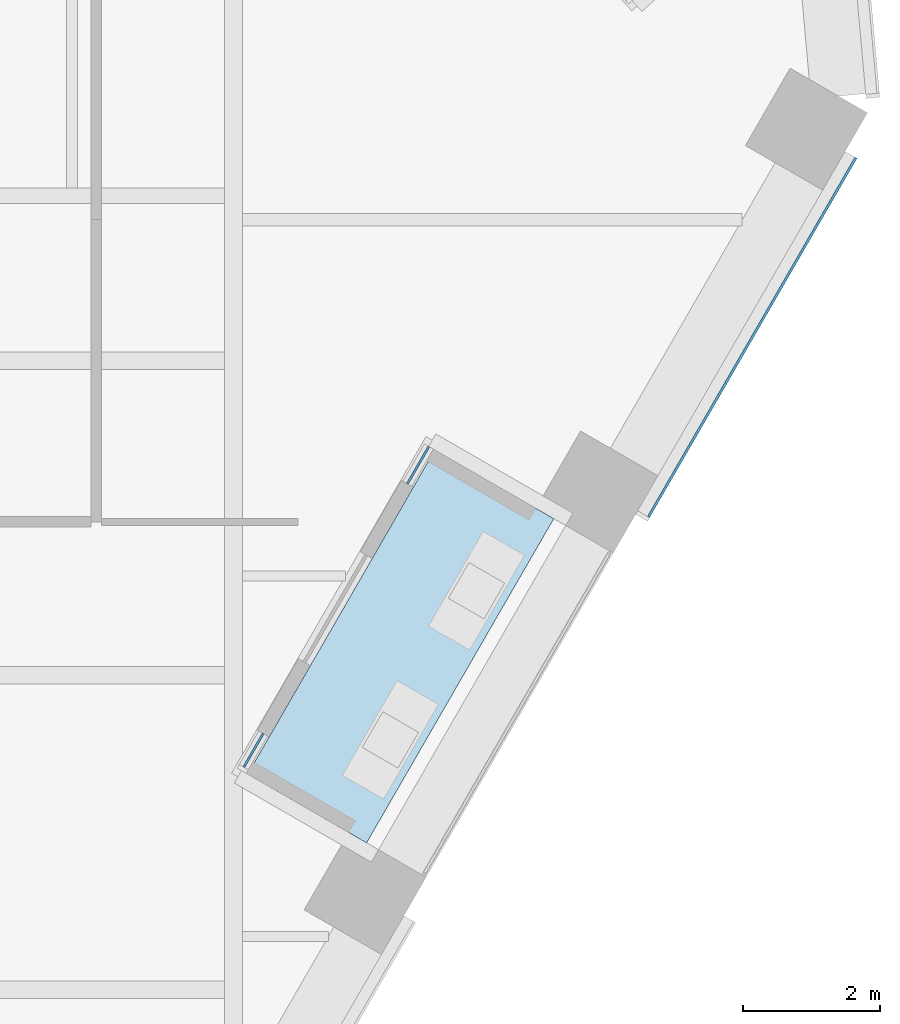
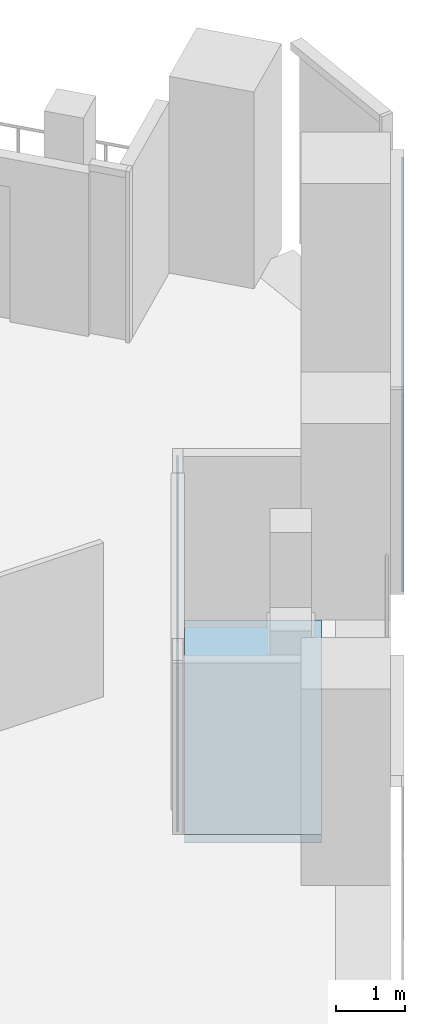
# One storey, part 15 of 26: 3 plates, 1 slab, 2 elements without a shape of their own.
"""IFC4 building model written with IfcOpenShell, lengths in metres."""

from ifc_helpers import new_model, si_unit, direction, frame, origin, origin_2d, place, context, subcontext, project, spatial, polyline, rectangle, outline, extrude, material, layer, layer_set, type_object, element, aggregate, save


model = new_model("IFC4")

# Units and contexts
model_context = context("Model", 3, precision=1e-05, world=origin(), true_north=direction((0.0, 1.0)))
body_context = subcontext(model_context, "Body", "Model", "MODEL_VIEW")
ifc_project = project(units=[si_unit("LENGTHUNIT", "METRE"), si_unit("AREAUNIT", "SQUARE_METRE"), si_unit("VOLUMEUNIT", "CUBIC_METRE"), si_unit("PLANEANGLEUNIT", "RADIAN"), si_unit("MASSUNIT", "GRAM", prefix="KILO")], contexts=[model_context])

# Site, building, storey
site_placement = place(None, origin())
site = spatial("IfcSite", under=ifc_project, at=site_placement, CompositionType="ELEMENT")
building_placement = place(site_placement, origin())
building = spatial("IfcBuilding", under=site, at=building_placement, Name="Isthmus Gate Tower", CompositionType="ELEMENT")
storey_placement = place(building_placement, frame((0.0, 0.0, 189.050048828125)))
storey = spatial("IfcBuildingStorey", under=building, at=storey_placement, Name="L47", CompositionType="ELEMENT", Elevation=189.050048828125)

# Curtain wall, plate
ifc_material_1 = material(Name="Aluminium, pale champagne anodised", Category="aluminium")
ifc_layer_1 = layer(ifc_material_1, 0.199951171875)
ifc_layer_set_1 = layer_set([ifc_layer_1], Name="CW-1 UNITISED CURTAIN WALL 200 DEEP")
curtain_wall_type_1 = type_object("IfcCurtainWallType", Name="CW-1 UNITISED CURTAIN WALL 200 DEEP", PredefinedType="NOTDEFINED", material=ifc_layer_set_1)
curtain_wall_1_placement = place(storey_placement, origin())
curtain_wall_1 = element("IfcCurtainWall", 1, at=curtain_wall_1_placement, inside=storey, type_object=curtain_wall_type_1, Name="CW-1 SE L47", PredefinedType="NOTDEFINED")
ifc_material_2 = material(Name="Laminated low-iron glass, pale blue tint", Category="glass")
ifc_layer_2 = layer(ifc_material_2, 0.035888671875)
ifc_layer_set_2 = layer_set([ifc_layer_2], Name="CW-1 CLEAR GLASS LITE 36")
plate_type_1 = type_object("IfcPlateType", Name="CW-1 CLEAR GLASS LITE 36", PredefinedType="CURTAIN_PANEL", material=ifc_layer_set_2)
plate_1_placement = place(storey_placement, frame((31.55224609375, -1.7138671875, 0.0), z_axis=(0.0, 0.0, 1.0), x_axis=(0.5, 0.866025403784, 0.0)))
plate_1 = element("IfcPlate", 2, at=plate_1_placement, type_object=plate_type_1, Name="CW-1 glass lite", PredefinedType="CURTAIN_PANEL", context=body_context, shape_type="SweptSolid", body=[
    extrude(rectangle(XDim=6.0400390625, YDim=0.035888671875, at=origin_2d()), origin(), (0.0, 0.0, 1.0), 3.510009765625),
])
aggregate(curtain_wall_1, [plate_1])

# Curtain wall, plates
ifc_material_3 = material(Name="Aluminium, pale champagne anodised", Category="aluminium")
ifc_layer_3 = layer(ifc_material_3, 0.14990234375)
ifc_layer_set_3 = layer_set([ifc_layer_3], Name="CW-6 LOGGIA BACK WALL GLAZING 150 DEEP")
curtain_wall_type_2 = type_object("IfcCurtainWallType", Name="CW-6 LOGGIA BACK WALL GLAZING 150 DEEP", PredefinedType="NOTDEFINED", material=ifc_layer_set_3)
curtain_wall_2_placement = place(storey_placement, origin())
curtain_wall_2 = element("IfcCurtainWall", 3, at=curtain_wall_2_placement, inside=storey, type_object=curtain_wall_type_2, Name="CW-6 SE L47", PredefinedType="NOTDEFINED")
ifc_material_4 = material(Name="Laminated low-iron glass, clear", Category="glass")
ifc_layer_4 = layer(ifc_material_4, 0.031982421875)
ifc_layer_set_4 = layer_set([ifc_layer_4], Name="CW-6 CLEAR GLASS LITE 32")
plate_type_2 = type_object("IfcPlateType", Name="CW-6 CLEAR GLASS LITE 32", PredefinedType="CURTAIN_PANEL", material=ifc_layer_set_4)
plate_2_placement = place(storey_placement, frame((24.291259765625, -7.7265625, 0.0), z_axis=(0.0, 0.0, 1.0), x_axis=(0.5, 0.866025403784, 0.0)))
plate_2 = element("IfcPlate", 4, at=plate_2_placement, type_object=plate_type_2, Name="CW-6 glass lite", PredefinedType="CURTAIN_PANEL", context=body_context, shape_type="SweptSolid", body=[
    extrude(rectangle(XDim=0.565185546875, YDim=0.031982421875, at=origin_2d()), origin(), (0.0, 0.0, 1.0), 2.929931640625),
])
plate_3_placement = place(storey_placement, frame((26.688720703125, -3.57373046875, 0.0), z_axis=(0.0, 0.0, 1.0), x_axis=(0.5, 0.866025403784, 0.0)))
plate_3 = element("IfcPlate", 5, at=plate_3_placement, type_object=plate_type_2, Name="CW-6 glass lite", PredefinedType="CURTAIN_PANEL", context=body_context, shape_type="SweptSolid", body=[
    extrude(rectangle(XDim=0.625, YDim=0.031982421875, at=origin_2d()), origin(), (0.0, 0.0, 1.0), 2.929931640625),
])
aggregate(curtain_wall_2, [plate_2, plate_3])

# Slab
ifc_material_5 = material(Name="Concrete f'c 50 MPa", Category="concrete")
ifc_layer_5 = layer(ifc_material_5, 0.14990234375)
ifc_layer_set_5 = layer_set([ifc_layer_5], Name="LOGGIA FLOOR SLAB 150")
slab_type = type_object("IfcSlabType", Name="LOGGIA FLOOR SLAB 150", PredefinedType="FLOOR", material=ifc_layer_set_5)
slab_placement = place(storey_placement, frame((0.0, 0.0, -0.150146484375)))
element("IfcSlab", 6, at=slab_placement, inside=storey, type_object=slab_type, Name="LOGGIA FLOOR", PredefinedType="FLOOR", context=body_context, shape_type="SweptSolid", body=[
    extrude(outline(polyline([(25.9384765625, -9.0732421875), (28.66357421875, -4.353271484375), (26.931640625, -3.353271484375), (24.20654296875, -8.0732421875), (25.9384765625, -9.0732421875)])), origin(), (0.0, 0.0, 1.0), 0.150146484375),
])

save(model, "model.ifc")
